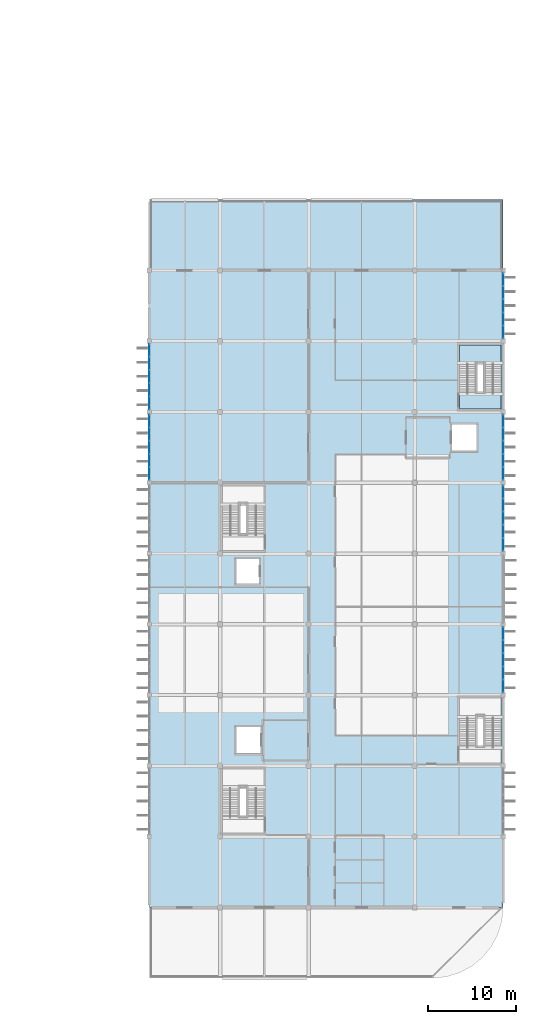
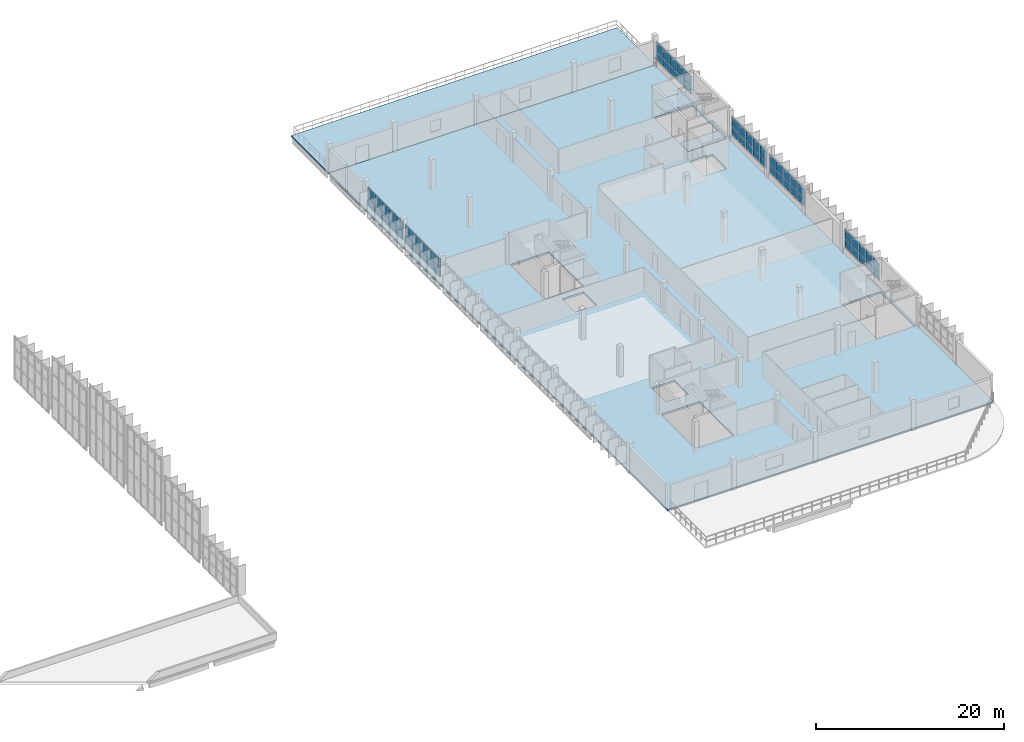
# One storey, part 24 of 38: 60 plates, 4 slabs, 7 elements without a shape of their own.
"""IFC4 building model written with IfcOpenShell, lengths in metres."""

from ifc_helpers import new_model, si_unit, direction, frame, origin, origin_2d, place, context, subcontext, project, spatial, polyline, rectangle, outline, extrude, material, layer, layer_set, type_object, element, aggregate, save


model = new_model("IFC4")

# Units and contexts
model_context = context("Model", 3, precision=1e-05, world=origin(), true_north=direction((0.0, 1.0)))
body_context = subcontext(model_context, "Body", "Model", "MODEL_VIEW")
ifc_project = project(units=[si_unit("LENGTHUNIT", "METRE"), si_unit("AREAUNIT", "SQUARE_METRE"), si_unit("VOLUMEUNIT", "CUBIC_METRE"), si_unit("PLANEANGLEUNIT", "RADIAN"), si_unit("MASSUNIT", "GRAM", prefix="KILO")], contexts=[model_context])

# Site, building, storey
site_placement = place(None, origin())
site = spatial("IfcSite", under=ifc_project, at=site_placement, CompositionType="ELEMENT")
building_placement = place(site_placement, origin())
building = spatial("IfcBuilding", under=site, at=building_placement, Name="Drelvana Railside Aquatics Centre", CompositionType="ELEMENT")
storey_placement = place(building_placement, frame((0.0, 0.0, 14.39990234375)))
storey = spatial("IfcBuildingStorey", under=building, at=storey_placement, Name="L03", CompositionType="ELEMENT", Elevation=14.39990234375)

# Curtain wall, plates
ifc_material_1 = material(Name="Bronze-anodised aluminium curtain wall", Category="aluminium")
ifc_layer_1 = layer(ifc_material_1, 0.175048828125, Name="Bronze-anodised aluminium curtain wall")
ifc_layer_set_1 = layer_set([ifc_layer_1], Name="Bronze-anodised aluminium curtain wall")
curtain_wall_type = type_object("IfcCurtainWallType", Name="CW-Z6-WING", PredefinedType="NOTDEFINED", material=ifc_layer_set_1)
curtain_wall_1_placement = place(storey_placement, origin())
curtain_wall_1 = element("IfcCurtainWall", 1, at=curtain_wall_1_placement, inside=storey, type_object=curtain_wall_type, Name="Curtain wall CW-06-158", PredefinedType="NOTDEFINED")
ifc_material_2 = material(Name="Double-glazed low-e solar-control glass", Category="glass")
ifc_layer_2 = layer(ifc_material_2, 0.02392578125, Name="Double-glazed low-e solar-control glass")
ifc_layer_set_2 = layer_set([ifc_layer_2], Name="Double-glazed low-e solar-control glass")
plate_type = type_object("IfcPlateType", Name="CW-Z6-WING-PAN", PredefinedType="CURTAIN_PANEL", material=ifc_layer_set_2)
plate_1_placement = place(storey_placement, frame((144.0, 65.031494140625, 0.84912109375), z_axis=(0.0, 0.0, 1.0), x_axis=(0.0, 1.0, 0.0)))
plate_1 = element("IfcPlate", 2, at=plate_1_placement, type_object=plate_type, Name="CW-06 panel 1.1", PredefinedType="CURTAIN_PANEL", context=body_context, shape_type="SweptSolid", body=[
    extrude(rectangle(XDim=1.40478515625, YDim=0.02392578125, at=origin_2d()), origin(), (0.0, 0.0, 1.0), 1.02490234375),
])
plate_2_placement = place(storey_placement, frame((144.0, 65.031494140625, 1.924072265625), z_axis=(0.0, 0.0, 1.0), x_axis=(0.0, 1.0, 0.0)))
plate_2 = element("IfcPlate", 3, at=plate_2_placement, type_object=plate_type, Name="CW-06 panel 1.2", PredefinedType="CURTAIN_PANEL", context=body_context, shape_type="SweptSolid", body=[
    extrude(rectangle(XDim=1.40478515625, YDim=0.02392578125, at=origin_2d()), origin(), (0.0, 0.0, 1.0), 1.27099609375),
])
plate_3_placement = place(storey_placement, frame((144.0, 66.507568359375, 0.84912109375), z_axis=(0.0, 0.0, 1.0), x_axis=(0.0, 1.0, 0.0)))
plate_3 = element("IfcPlate", 4, at=plate_3_placement, type_object=plate_type, Name="CW-06 panel 2.1", PredefinedType="CURTAIN_PANEL", context=body_context, shape_type="SweptSolid", body=[
    extrude(rectangle(XDim=1.4375, YDim=0.02392578125, at=origin_2d()), origin(), (0.0, 0.0, 1.0), 1.02490234375),
])
plate_4_placement = place(storey_placement, frame((144.0, 66.507568359375, 1.924072265625), z_axis=(0.0, 0.0, 1.0), x_axis=(0.0, 1.0, 0.0)))
plate_4 = element("IfcPlate", 5, at=plate_4_placement, type_object=plate_type, Name="CW-06 panel 2.2", PredefinedType="CURTAIN_PANEL", context=body_context, shape_type="SweptSolid", body=[
    extrude(rectangle(XDim=1.4375, YDim=0.02392578125, at=origin_2d()), origin(), (0.0, 0.0, 1.0), 1.27099609375),
])
plate_5_placement = place(storey_placement, frame((144.0, 68.0, 0.84912109375), z_axis=(0.0, 0.0, 1.0), x_axis=(0.0, 1.0, 0.0)))
plate_5 = element("IfcPlate", 6, at=plate_5_placement, type_object=plate_type, Name="CW-06 panel 3.1", PredefinedType="CURTAIN_PANEL", context=body_context, shape_type="SweptSolid", body=[
    extrude(rectangle(XDim=1.4375, YDim=0.02392578125, at=origin_2d()), origin(), (0.0, 0.0, 1.0), 1.02490234375),
])
plate_6_placement = place(storey_placement, frame((144.0, 68.0, 1.924072265625), z_axis=(0.0, 0.0, 1.0), x_axis=(0.0, 1.0, 0.0)))
plate_6 = element("IfcPlate", 7, at=plate_6_placement, type_object=plate_type, Name="CW-06 panel 3.2", PredefinedType="CURTAIN_PANEL", context=body_context, shape_type="SweptSolid", body=[
    extrude(rectangle(XDim=1.4375, YDim=0.02392578125, at=origin_2d()), origin(), (0.0, 0.0, 1.0), 1.27099609375),
])
plate_7_placement = place(storey_placement, frame((144.0, 69.492431640625, 0.84912109375), z_axis=(0.0, 0.0, 1.0), x_axis=(0.0, 1.0, 0.0)))
plate_7 = element("IfcPlate", 8, at=plate_7_placement, type_object=plate_type, Name="CW-06 panel 4.1", PredefinedType="CURTAIN_PANEL", context=body_context, shape_type="SweptSolid", body=[
    extrude(rectangle(XDim=1.4375, YDim=0.02392578125, at=origin_2d()), origin(), (0.0, 0.0, 1.0), 1.02490234375),
])
plate_8_placement = place(storey_placement, frame((144.0, 69.492431640625, 1.924072265625), z_axis=(0.0, 0.0, 1.0), x_axis=(0.0, 1.0, 0.0)))
plate_8 = element("IfcPlate", 9, at=plate_8_placement, type_object=plate_type, Name="CW-06 panel 4.2", PredefinedType="CURTAIN_PANEL", context=body_context, shape_type="SweptSolid", body=[
    extrude(rectangle(XDim=1.4375, YDim=0.02392578125, at=origin_2d()), origin(), (0.0, 0.0, 1.0), 1.27099609375),
])
plate_9_placement = place(storey_placement, frame((144.0, 70.968505859375, 0.84912109375), z_axis=(0.0, 0.0, 1.0), x_axis=(0.0, 1.0, 0.0)))
plate_9 = element("IfcPlate", 10, at=plate_9_placement, type_object=plate_type, Name="CW-06 panel 5.1", PredefinedType="CURTAIN_PANEL", context=body_context, shape_type="SweptSolid", body=[
    extrude(rectangle(XDim=1.40478515625, YDim=0.02392578125, at=origin_2d()), origin(), (0.0, 0.0, 1.0), 1.02490234375),
])
plate_10_placement = place(storey_placement, frame((144.0, 70.968505859375, 1.924072265625), z_axis=(0.0, 0.0, 1.0), x_axis=(0.0, 1.0, 0.0)))
plate_10 = element("IfcPlate", 11, at=plate_10_placement, type_object=plate_type, Name="CW-06 panel 5.2", PredefinedType="CURTAIN_PANEL", context=body_context, shape_type="SweptSolid", body=[
    extrude(rectangle(XDim=1.40478515625, YDim=0.02392578125, at=origin_2d()), origin(), (0.0, 0.0, 1.0), 1.27099609375),
])
aggregate(curtain_wall_1, [plate_1, plate_2, plate_3, plate_4, plate_5, plate_6, plate_7, plate_8, plate_9, plate_10])

curtain_wall_2_placement = place(storey_placement, origin())
curtain_wall_2 = element("IfcCurtainWall", 12, at=curtain_wall_2_placement, inside=storey, type_object=curtain_wall_type, Name="Curtain wall CW-06-162", PredefinedType="NOTDEFINED")
plate_11_placement = place(storey_placement, frame((144.0, 73.031494140625, 0.84912109375), z_axis=(0.0, 0.0, 1.0), x_axis=(0.0, 1.0, 0.0)))
plate_11 = element("IfcPlate", 13, at=plate_11_placement, type_object=plate_type, Name="CW-06 panel 1.1", PredefinedType="CURTAIN_PANEL", context=body_context, shape_type="SweptSolid", body=[
    extrude(rectangle(XDim=1.40478515625, YDim=0.02392578125, at=origin_2d()), origin(), (0.0, 0.0, 1.0), 1.02490234375),
])
plate_12_placement = place(storey_placement, frame((144.0, 73.031494140625, 1.924072265625), z_axis=(0.0, 0.0, 1.0), x_axis=(0.0, 1.0, 0.0)))
plate_12 = element("IfcPlate", 14, at=plate_12_placement, type_object=plate_type, Name="CW-06 panel 1.2", PredefinedType="CURTAIN_PANEL", context=body_context, shape_type="SweptSolid", body=[
    extrude(rectangle(XDim=1.40478515625, YDim=0.02392578125, at=origin_2d()), origin(), (0.0, 0.0, 1.0), 1.27099609375),
])
plate_13_placement = place(storey_placement, frame((144.0, 74.507568359375, 0.84912109375), z_axis=(0.0, 0.0, 1.0), x_axis=(0.0, 1.0, 0.0)))
plate_13 = element("IfcPlate", 15, at=plate_13_placement, type_object=plate_type, Name="CW-06 panel 2.1", PredefinedType="CURTAIN_PANEL", context=body_context, shape_type="SweptSolid", body=[
    extrude(rectangle(XDim=1.4375, YDim=0.02392578125, at=origin_2d()), origin(), (0.0, 0.0, 1.0), 1.02490234375),
])
plate_14_placement = place(storey_placement, frame((144.0, 74.507568359375, 1.924072265625), z_axis=(0.0, 0.0, 1.0), x_axis=(0.0, 1.0, 0.0)))
plate_14 = element("IfcPlate", 16, at=plate_14_placement, type_object=plate_type, Name="CW-06 panel 2.2", PredefinedType="CURTAIN_PANEL", context=body_context, shape_type="SweptSolid", body=[
    extrude(rectangle(XDim=1.4375, YDim=0.02392578125, at=origin_2d()), origin(), (0.0, 0.0, 1.0), 1.27099609375),
])
plate_15_placement = place(storey_placement, frame((144.0, 76.0, 0.84912109375), z_axis=(0.0, 0.0, 1.0), x_axis=(0.0, 1.0, 0.0)))
plate_15 = element("IfcPlate", 17, at=plate_15_placement, type_object=plate_type, Name="CW-06 panel 3.1", PredefinedType="CURTAIN_PANEL", context=body_context, shape_type="SweptSolid", body=[
    extrude(rectangle(XDim=1.4375, YDim=0.02392578125, at=origin_2d()), origin(), (0.0, 0.0, 1.0), 1.02490234375),
])
plate_16_placement = place(storey_placement, frame((144.0, 76.0, 1.924072265625), z_axis=(0.0, 0.0, 1.0), x_axis=(0.0, 1.0, 0.0)))
plate_16 = element("IfcPlate", 18, at=plate_16_placement, type_object=plate_type, Name="CW-06 panel 3.2", PredefinedType="CURTAIN_PANEL", context=body_context, shape_type="SweptSolid", body=[
    extrude(rectangle(XDim=1.4375, YDim=0.02392578125, at=origin_2d()), origin(), (0.0, 0.0, 1.0), 1.27099609375),
])
plate_17_placement = place(storey_placement, frame((144.0, 77.492431640625, 0.84912109375), z_axis=(0.0, 0.0, 1.0), x_axis=(0.0, 1.0, 0.0)))
plate_17 = element("IfcPlate", 19, at=plate_17_placement, type_object=plate_type, Name="CW-06 panel 4.1", PredefinedType="CURTAIN_PANEL", context=body_context, shape_type="SweptSolid", body=[
    extrude(rectangle(XDim=1.4375, YDim=0.02392578125, at=origin_2d()), origin(), (0.0, 0.0, 1.0), 1.02490234375),
])
plate_18_placement = place(storey_placement, frame((144.0, 77.492431640625, 1.924072265625), z_axis=(0.0, 0.0, 1.0), x_axis=(0.0, 1.0, 0.0)))
plate_18 = element("IfcPlate", 20, at=plate_18_placement, type_object=plate_type, Name="CW-06 panel 4.2", PredefinedType="CURTAIN_PANEL", context=body_context, shape_type="SweptSolid", body=[
    extrude(rectangle(XDim=1.4375, YDim=0.02392578125, at=origin_2d()), origin(), (0.0, 0.0, 1.0), 1.27099609375),
])
plate_19_placement = place(storey_placement, frame((144.0, 78.968505859375, 0.84912109375), z_axis=(0.0, 0.0, 1.0), x_axis=(0.0, 1.0, 0.0)))
plate_19 = element("IfcPlate", 21, at=plate_19_placement, type_object=plate_type, Name="CW-06 panel 5.1", PredefinedType="CURTAIN_PANEL", context=body_context, shape_type="SweptSolid", body=[
    extrude(rectangle(XDim=1.40478515625, YDim=0.02392578125, at=origin_2d()), origin(), (0.0, 0.0, 1.0), 1.02490234375),
])
plate_20_placement = place(storey_placement, frame((144.0, 78.968505859375, 1.924072265625), z_axis=(0.0, 0.0, 1.0), x_axis=(0.0, 1.0, 0.0)))
plate_20 = element("IfcPlate", 22, at=plate_20_placement, type_object=plate_type, Name="CW-06 panel 5.2", PredefinedType="CURTAIN_PANEL", context=body_context, shape_type="SweptSolid", body=[
    extrude(rectangle(XDim=1.40478515625, YDim=0.02392578125, at=origin_2d()), origin(), (0.0, 0.0, 1.0), 1.27099609375),
])
aggregate(curtain_wall_2, [plate_11, plate_12, plate_13, plate_14, plate_15, plate_16, plate_17, plate_18, plate_19, plate_20])

curtain_wall_3_placement = place(storey_placement, origin())
curtain_wall_3 = element("IfcCurtainWall", 23, at=curtain_wall_3_placement, inside=storey, type_object=curtain_wall_type, Name="Curtain wall CW-06-173", PredefinedType="NOTDEFINED")
plate_21_placement = place(storey_placement, frame((184.0, 41.031494140625, 0.84912109375), z_axis=(0.0, 0.0, 1.0), x_axis=(0.0, 1.0, 0.0)))
plate_21 = element("IfcPlate", 24, at=plate_21_placement, type_object=plate_type, Name="CW-06 panel 1.1", PredefinedType="CURTAIN_PANEL", context=body_context, shape_type="SweptSolid", body=[
    extrude(rectangle(XDim=1.40478515625, YDim=0.02392578125, at=origin_2d()), origin(), (0.0, 0.0, 1.0), 1.02490234375),
])
plate_22_placement = place(storey_placement, frame((184.0, 41.031494140625, 1.924072265625), z_axis=(0.0, 0.0, 1.0), x_axis=(0.0, 1.0, 0.0)))
plate_22 = element("IfcPlate", 25, at=plate_22_placement, type_object=plate_type, Name="CW-06 panel 1.2", PredefinedType="CURTAIN_PANEL", context=body_context, shape_type="SweptSolid", body=[
    extrude(rectangle(XDim=1.40478515625, YDim=0.02392578125, at=origin_2d()), origin(), (0.0, 0.0, 1.0), 1.27099609375),
])
plate_23_placement = place(storey_placement, frame((184.0, 42.507568359375, 0.84912109375), z_axis=(0.0, 0.0, 1.0), x_axis=(0.0, 1.0, 0.0)))
plate_23 = element("IfcPlate", 26, at=plate_23_placement, type_object=plate_type, Name="CW-06 panel 2.1", PredefinedType="CURTAIN_PANEL", context=body_context, shape_type="SweptSolid", body=[
    extrude(rectangle(XDim=1.4375, YDim=0.02392578125, at=origin_2d()), origin(), (0.0, 0.0, 1.0), 1.02490234375),
])
plate_24_placement = place(storey_placement, frame((184.0, 42.507568359375, 1.924072265625), z_axis=(0.0, 0.0, 1.0), x_axis=(0.0, 1.0, 0.0)))
plate_24 = element("IfcPlate", 27, at=plate_24_placement, type_object=plate_type, Name="CW-06 panel 2.2", PredefinedType="CURTAIN_PANEL", context=body_context, shape_type="SweptSolid", body=[
    extrude(rectangle(XDim=1.4375, YDim=0.02392578125, at=origin_2d()), origin(), (0.0, 0.0, 1.0), 1.27099609375),
])
plate_25_placement = place(storey_placement, frame((184.0, 44.0, 0.84912109375), z_axis=(0.0, 0.0, 1.0), x_axis=(0.0, 1.0, 0.0)))
plate_25 = element("IfcPlate", 28, at=plate_25_placement, type_object=plate_type, Name="CW-06 panel 3.1", PredefinedType="CURTAIN_PANEL", context=body_context, shape_type="SweptSolid", body=[
    extrude(rectangle(XDim=1.4375, YDim=0.02392578125, at=origin_2d()), origin(), (0.0, 0.0, 1.0), 1.02490234375),
])
plate_26_placement = place(storey_placement, frame((184.0, 44.0, 1.924072265625), z_axis=(0.0, 0.0, 1.0), x_axis=(0.0, 1.0, 0.0)))
plate_26 = element("IfcPlate", 29, at=plate_26_placement, type_object=plate_type, Name="CW-06 panel 3.2", PredefinedType="CURTAIN_PANEL", context=body_context, shape_type="SweptSolid", body=[
    extrude(rectangle(XDim=1.4375, YDim=0.02392578125, at=origin_2d()), origin(), (0.0, 0.0, 1.0), 1.27099609375),
])
plate_27_placement = place(storey_placement, frame((184.0, 45.492431640625, 0.84912109375), z_axis=(0.0, 0.0, 1.0), x_axis=(0.0, 1.0, 0.0)))
plate_27 = element("IfcPlate", 30, at=plate_27_placement, type_object=plate_type, Name="CW-06 panel 4.1", PredefinedType="CURTAIN_PANEL", context=body_context, shape_type="SweptSolid", body=[
    extrude(rectangle(XDim=1.4375, YDim=0.02392578125, at=origin_2d()), origin(), (0.0, 0.0, 1.0), 1.02490234375),
])
plate_28_placement = place(storey_placement, frame((184.0, 45.492431640625, 1.924072265625), z_axis=(0.0, 0.0, 1.0), x_axis=(0.0, 1.0, 0.0)))
plate_28 = element("IfcPlate", 31, at=plate_28_placement, type_object=plate_type, Name="CW-06 panel 4.2", PredefinedType="CURTAIN_PANEL", context=body_context, shape_type="SweptSolid", body=[
    extrude(rectangle(XDim=1.4375, YDim=0.02392578125, at=origin_2d()), origin(), (0.0, 0.0, 1.0), 1.27099609375),
])
plate_29_placement = place(storey_placement, frame((184.0, 46.968505859375, 0.84912109375), z_axis=(0.0, 0.0, 1.0), x_axis=(0.0, 1.0, 0.0)))
plate_29 = element("IfcPlate", 32, at=plate_29_placement, type_object=plate_type, Name="CW-06 panel 5.1", PredefinedType="CURTAIN_PANEL", context=body_context, shape_type="SweptSolid", body=[
    extrude(rectangle(XDim=1.40478515625, YDim=0.02392578125, at=origin_2d()), origin(), (0.0, 0.0, 1.0), 1.02490234375),
])
plate_30_placement = place(storey_placement, frame((184.0, 46.968505859375, 1.924072265625), z_axis=(0.0, 0.0, 1.0), x_axis=(0.0, 1.0, 0.0)))
plate_30 = element("IfcPlate", 33, at=plate_30_placement, type_object=plate_type, Name="CW-06 panel 5.2", PredefinedType="CURTAIN_PANEL", context=body_context, shape_type="SweptSolid", body=[
    extrude(rectangle(XDim=1.40478515625, YDim=0.02392578125, at=origin_2d()), origin(), (0.0, 0.0, 1.0), 1.27099609375),
])
aggregate(curtain_wall_3, [plate_21, plate_22, plate_23, plate_24, plate_25, plate_26, plate_27, plate_28, plate_29, plate_30])

curtain_wall_4_placement = place(storey_placement, origin())
curtain_wall_4 = element("IfcCurtainWall", 34, at=curtain_wall_4_placement, inside=storey, type_object=curtain_wall_type, Name="Curtain wall CW-06-178", PredefinedType="NOTDEFINED")
plate_31_placement = place(storey_placement, frame((184.0, 57.031494140625, 0.84912109375), z_axis=(0.0, 0.0, 1.0), x_axis=(0.0, 1.0, 0.0)))
plate_31 = element("IfcPlate", 35, at=plate_31_placement, type_object=plate_type, Name="CW-06 panel 1.1", PredefinedType="CURTAIN_PANEL", context=body_context, shape_type="SweptSolid", body=[
    extrude(rectangle(XDim=1.40478515625, YDim=0.02392578125, at=origin_2d()), origin(), (0.0, 0.0, 1.0), 1.02490234375),
])
plate_32_placement = place(storey_placement, frame((184.0, 57.031494140625, 1.924072265625), z_axis=(0.0, 0.0, 1.0), x_axis=(0.0, 1.0, 0.0)))
plate_32 = element("IfcPlate", 36, at=plate_32_placement, type_object=plate_type, Name="CW-06 panel 1.2", PredefinedType="CURTAIN_PANEL", context=body_context, shape_type="SweptSolid", body=[
    extrude(rectangle(XDim=1.40478515625, YDim=0.02392578125, at=origin_2d()), origin(), (0.0, 0.0, 1.0), 1.27099609375),
])
plate_33_placement = place(storey_placement, frame((184.0, 58.507568359375, 0.84912109375), z_axis=(0.0, 0.0, 1.0), x_axis=(0.0, 1.0, 0.0)))
plate_33 = element("IfcPlate", 37, at=plate_33_placement, type_object=plate_type, Name="CW-06 panel 2.1", PredefinedType="CURTAIN_PANEL", context=body_context, shape_type="SweptSolid", body=[
    extrude(rectangle(XDim=1.4375, YDim=0.02392578125, at=origin_2d()), origin(), (0.0, 0.0, 1.0), 1.02490234375),
])
plate_34_placement = place(storey_placement, frame((184.0, 58.507568359375, 1.924072265625), z_axis=(0.0, 0.0, 1.0), x_axis=(0.0, 1.0, 0.0)))
plate_34 = element("IfcPlate", 38, at=plate_34_placement, type_object=plate_type, Name="CW-06 panel 2.2", PredefinedType="CURTAIN_PANEL", context=body_context, shape_type="SweptSolid", body=[
    extrude(rectangle(XDim=1.4375, YDim=0.02392578125, at=origin_2d()), origin(), (0.0, 0.0, 1.0), 1.27099609375),
])
plate_35_placement = place(storey_placement, frame((184.0, 60.0, 0.84912109375), z_axis=(0.0, 0.0, 1.0), x_axis=(0.0, 1.0, 0.0)))
plate_35 = element("IfcPlate", 39, at=plate_35_placement, type_object=plate_type, Name="CW-06 panel 3.1", PredefinedType="CURTAIN_PANEL", context=body_context, shape_type="SweptSolid", body=[
    extrude(rectangle(XDim=1.4375, YDim=0.02392578125, at=origin_2d()), origin(), (0.0, 0.0, 1.0), 1.02490234375),
])
plate_36_placement = place(storey_placement, frame((184.0, 60.0, 1.924072265625), z_axis=(0.0, 0.0, 1.0), x_axis=(0.0, 1.0, 0.0)))
plate_36 = element("IfcPlate", 40, at=plate_36_placement, type_object=plate_type, Name="CW-06 panel 3.2", PredefinedType="CURTAIN_PANEL", context=body_context, shape_type="SweptSolid", body=[
    extrude(rectangle(XDim=1.4375, YDim=0.02392578125, at=origin_2d()), origin(), (0.0, 0.0, 1.0), 1.27099609375),
])
plate_37_placement = place(storey_placement, frame((184.0, 61.492431640625, 0.84912109375), z_axis=(0.0, 0.0, 1.0), x_axis=(0.0, 1.0, 0.0)))
plate_37 = element("IfcPlate", 41, at=plate_37_placement, type_object=plate_type, Name="CW-06 panel 4.1", PredefinedType="CURTAIN_PANEL", context=body_context, shape_type="SweptSolid", body=[
    extrude(rectangle(XDim=1.4375, YDim=0.02392578125, at=origin_2d()), origin(), (0.0, 0.0, 1.0), 1.02490234375),
])
plate_38_placement = place(storey_placement, frame((184.0, 61.492431640625, 1.924072265625), z_axis=(0.0, 0.0, 1.0), x_axis=(0.0, 1.0, 0.0)))
plate_38 = element("IfcPlate", 42, at=plate_38_placement, type_object=plate_type, Name="CW-06 panel 4.2", PredefinedType="CURTAIN_PANEL", context=body_context, shape_type="SweptSolid", body=[
    extrude(rectangle(XDim=1.4375, YDim=0.02392578125, at=origin_2d()), origin(), (0.0, 0.0, 1.0), 1.27099609375),
])
plate_39_placement = place(storey_placement, frame((184.0, 62.968505859375, 0.84912109375), z_axis=(0.0, 0.0, 1.0), x_axis=(0.0, 1.0, 0.0)))
plate_39 = element("IfcPlate", 43, at=plate_39_placement, type_object=plate_type, Name="CW-06 panel 5.1", PredefinedType="CURTAIN_PANEL", context=body_context, shape_type="SweptSolid", body=[
    extrude(rectangle(XDim=1.40478515625, YDim=0.02392578125, at=origin_2d()), origin(), (0.0, 0.0, 1.0), 1.02490234375),
])
plate_40_placement = place(storey_placement, frame((184.0, 62.968505859375, 1.924072265625), z_axis=(0.0, 0.0, 1.0), x_axis=(0.0, 1.0, 0.0)))
plate_40 = element("IfcPlate", 44, at=plate_40_placement, type_object=plate_type, Name="CW-06 panel 5.2", PredefinedType="CURTAIN_PANEL", context=body_context, shape_type="SweptSolid", body=[
    extrude(rectangle(XDim=1.40478515625, YDim=0.02392578125, at=origin_2d()), origin(), (0.0, 0.0, 1.0), 1.27099609375),
])
aggregate(curtain_wall_4, [plate_31, plate_32, plate_33, plate_34, plate_35, plate_36, plate_37, plate_38, plate_39, plate_40])

curtain_wall_5_placement = place(storey_placement, origin())
curtain_wall_5 = element("IfcCurtainWall", 45, at=curtain_wall_5_placement, inside=storey, type_object=curtain_wall_type, Name="Curtain wall CW-06-182", PredefinedType="NOTDEFINED")
plate_41_placement = place(storey_placement, frame((184.0, 65.031494140625, 0.84912109375), z_axis=(0.0, 0.0, 1.0), x_axis=(0.0, 1.0, 0.0)))
plate_41 = element("IfcPlate", 46, at=plate_41_placement, type_object=plate_type, Name="CW-06 panel 1.1", PredefinedType="CURTAIN_PANEL", context=body_context, shape_type="SweptSolid", body=[
    extrude(rectangle(XDim=1.40478515625, YDim=0.02392578125, at=origin_2d()), origin(), (0.0, 0.0, 1.0), 1.02490234375),
])
plate_42_placement = place(storey_placement, frame((184.0, 65.031494140625, 1.924072265625), z_axis=(0.0, 0.0, 1.0), x_axis=(0.0, 1.0, 0.0)))
plate_42 = element("IfcPlate", 47, at=plate_42_placement, type_object=plate_type, Name="CW-06 panel 1.2", PredefinedType="CURTAIN_PANEL", context=body_context, shape_type="SweptSolid", body=[
    extrude(rectangle(XDim=1.40478515625, YDim=0.02392578125, at=origin_2d()), origin(), (0.0, 0.0, 1.0), 1.27099609375),
])
plate_43_placement = place(storey_placement, frame((184.0, 66.507568359375, 0.84912109375), z_axis=(0.0, 0.0, 1.0), x_axis=(0.0, 1.0, 0.0)))
plate_43 = element("IfcPlate", 48, at=plate_43_placement, type_object=plate_type, Name="CW-06 panel 2.1", PredefinedType="CURTAIN_PANEL", context=body_context, shape_type="SweptSolid", body=[
    extrude(rectangle(XDim=1.4375, YDim=0.02392578125, at=origin_2d()), origin(), (0.0, 0.0, 1.0), 1.02490234375),
])
plate_44_placement = place(storey_placement, frame((184.0, 66.507568359375, 1.924072265625), z_axis=(0.0, 0.0, 1.0), x_axis=(0.0, 1.0, 0.0)))
plate_44 = element("IfcPlate", 49, at=plate_44_placement, type_object=plate_type, Name="CW-06 panel 2.2", PredefinedType="CURTAIN_PANEL", context=body_context, shape_type="SweptSolid", body=[
    extrude(rectangle(XDim=1.4375, YDim=0.02392578125, at=origin_2d()), origin(), (0.0, 0.0, 1.0), 1.27099609375),
])
plate_45_placement = place(storey_placement, frame((184.0, 68.0, 0.84912109375), z_axis=(0.0, 0.0, 1.0), x_axis=(0.0, 1.0, 0.0)))
plate_45 = element("IfcPlate", 50, at=plate_45_placement, type_object=plate_type, Name="CW-06 panel 3.1", PredefinedType="CURTAIN_PANEL", context=body_context, shape_type="SweptSolid", body=[
    extrude(rectangle(XDim=1.4375, YDim=0.02392578125, at=origin_2d()), origin(), (0.0, 0.0, 1.0), 1.02490234375),
])
plate_46_placement = place(storey_placement, frame((184.0, 68.0, 1.924072265625), z_axis=(0.0, 0.0, 1.0), x_axis=(0.0, 1.0, 0.0)))
plate_46 = element("IfcPlate", 51, at=plate_46_placement, type_object=plate_type, Name="CW-06 panel 3.2", PredefinedType="CURTAIN_PANEL", context=body_context, shape_type="SweptSolid", body=[
    extrude(rectangle(XDim=1.4375, YDim=0.02392578125, at=origin_2d()), origin(), (0.0, 0.0, 1.0), 1.27099609375),
])
plate_47_placement = place(storey_placement, frame((184.0, 69.492431640625, 0.84912109375), z_axis=(0.0, 0.0, 1.0), x_axis=(0.0, 1.0, 0.0)))
plate_47 = element("IfcPlate", 52, at=plate_47_placement, type_object=plate_type, Name="CW-06 panel 4.1", PredefinedType="CURTAIN_PANEL", context=body_context, shape_type="SweptSolid", body=[
    extrude(rectangle(XDim=1.4375, YDim=0.02392578125, at=origin_2d()), origin(), (0.0, 0.0, 1.0), 1.02490234375),
])
plate_48_placement = place(storey_placement, frame((184.0, 69.492431640625, 1.924072265625), z_axis=(0.0, 0.0, 1.0), x_axis=(0.0, 1.0, 0.0)))
plate_48 = element("IfcPlate", 53, at=plate_48_placement, type_object=plate_type, Name="CW-06 panel 4.2", PredefinedType="CURTAIN_PANEL", context=body_context, shape_type="SweptSolid", body=[
    extrude(rectangle(XDim=1.4375, YDim=0.02392578125, at=origin_2d()), origin(), (0.0, 0.0, 1.0), 1.27099609375),
])
plate_49_placement = place(storey_placement, frame((184.0, 70.968505859375, 0.84912109375), z_axis=(0.0, 0.0, 1.0), x_axis=(0.0, 1.0, 0.0)))
plate_49 = element("IfcPlate", 54, at=plate_49_placement, type_object=plate_type, Name="CW-06 panel 5.1", PredefinedType="CURTAIN_PANEL", context=body_context, shape_type="SweptSolid", body=[
    extrude(rectangle(XDim=1.40478515625, YDim=0.02392578125, at=origin_2d()), origin(), (0.0, 0.0, 1.0), 1.02490234375),
])
plate_50_placement = place(storey_placement, frame((184.0, 70.968505859375, 1.924072265625), z_axis=(0.0, 0.0, 1.0), x_axis=(0.0, 1.0, 0.0)))
plate_50 = element("IfcPlate", 55, at=plate_50_placement, type_object=plate_type, Name="CW-06 panel 5.2", PredefinedType="CURTAIN_PANEL", context=body_context, shape_type="SweptSolid", body=[
    extrude(rectangle(XDim=1.40478515625, YDim=0.02392578125, at=origin_2d()), origin(), (0.0, 0.0, 1.0), 1.27099609375),
])
aggregate(curtain_wall_5, [plate_41, plate_42, plate_43, plate_44, plate_45, plate_46, plate_47, plate_48, plate_49, plate_50])

curtain_wall_6_placement = place(storey_placement, origin())
curtain_wall_6 = element("IfcCurtainWall", 56, at=curtain_wall_6_placement, inside=storey, type_object=curtain_wall_type, Name="Curtain wall CW-06-187", PredefinedType="NOTDEFINED")
plate_51_placement = place(storey_placement, frame((184.0, 81.031494140625, 0.84912109375), z_axis=(0.0, 0.0, 1.0), x_axis=(0.0, 1.0, 0.0)))
plate_51 = element("IfcPlate", 57, at=plate_51_placement, type_object=plate_type, Name="CW-06 panel 1.1", PredefinedType="CURTAIN_PANEL", context=body_context, shape_type="SweptSolid", body=[
    extrude(rectangle(XDim=1.40478515625, YDim=0.02392578125, at=origin_2d()), origin(), (0.0, 0.0, 1.0), 1.02490234375),
])
plate_52_placement = place(storey_placement, frame((184.0, 81.031494140625, 1.924072265625), z_axis=(0.0, 0.0, 1.0), x_axis=(0.0, 1.0, 0.0)))
plate_52 = element("IfcPlate", 58, at=plate_52_placement, type_object=plate_type, Name="CW-06 panel 1.2", PredefinedType="CURTAIN_PANEL", context=body_context, shape_type="SweptSolid", body=[
    extrude(rectangle(XDim=1.40478515625, YDim=0.02392578125, at=origin_2d()), origin(), (0.0, 0.0, 1.0), 1.27099609375),
])
plate_53_placement = place(storey_placement, frame((184.0, 82.507568359375, 0.84912109375), z_axis=(0.0, 0.0, 1.0), x_axis=(0.0, 1.0, 0.0)))
plate_53 = element("IfcPlate", 59, at=plate_53_placement, type_object=plate_type, Name="CW-06 panel 2.1", PredefinedType="CURTAIN_PANEL", context=body_context, shape_type="SweptSolid", body=[
    extrude(rectangle(XDim=1.4375, YDim=0.02392578125, at=origin_2d()), origin(), (0.0, 0.0, 1.0), 1.02490234375),
])
plate_54_placement = place(storey_placement, frame((184.0, 82.507568359375, 1.924072265625), z_axis=(0.0, 0.0, 1.0), x_axis=(0.0, 1.0, 0.0)))
plate_54 = element("IfcPlate", 60, at=plate_54_placement, type_object=plate_type, Name="CW-06 panel 2.2", PredefinedType="CURTAIN_PANEL", context=body_context, shape_type="SweptSolid", body=[
    extrude(rectangle(XDim=1.4375, YDim=0.02392578125, at=origin_2d()), origin(), (0.0, 0.0, 1.0), 1.27099609375),
])
plate_55_placement = place(storey_placement, frame((184.0, 84.0, 0.84912109375), z_axis=(0.0, 0.0, 1.0), x_axis=(0.0, 1.0, 0.0)))
plate_55 = element("IfcPlate", 61, at=plate_55_placement, type_object=plate_type, Name="CW-06 panel 3.1", PredefinedType="CURTAIN_PANEL", context=body_context, shape_type="SweptSolid", body=[
    extrude(rectangle(XDim=1.4375, YDim=0.02392578125, at=origin_2d()), origin(), (0.0, 0.0, 1.0), 1.02490234375),
])
plate_56_placement = place(storey_placement, frame((184.0, 84.0, 1.924072265625), z_axis=(0.0, 0.0, 1.0), x_axis=(0.0, 1.0, 0.0)))
plate_56 = element("IfcPlate", 62, at=plate_56_placement, type_object=plate_type, Name="CW-06 panel 3.2", PredefinedType="CURTAIN_PANEL", context=body_context, shape_type="SweptSolid", body=[
    extrude(rectangle(XDim=1.4375, YDim=0.02392578125, at=origin_2d()), origin(), (0.0, 0.0, 1.0), 1.27099609375),
])
plate_57_placement = place(storey_placement, frame((184.0, 85.492431640625, 0.84912109375), z_axis=(0.0, 0.0, 1.0), x_axis=(0.0, 1.0, 0.0)))
plate_57 = element("IfcPlate", 63, at=plate_57_placement, type_object=plate_type, Name="CW-06 panel 4.1", PredefinedType="CURTAIN_PANEL", context=body_context, shape_type="SweptSolid", body=[
    extrude(rectangle(XDim=1.4375, YDim=0.02392578125, at=origin_2d()), origin(), (0.0, 0.0, 1.0), 1.02490234375),
])
plate_58_placement = place(storey_placement, frame((184.0, 85.492431640625, 1.924072265625), z_axis=(0.0, 0.0, 1.0), x_axis=(0.0, 1.0, 0.0)))
plate_58 = element("IfcPlate", 64, at=plate_58_placement, type_object=plate_type, Name="CW-06 panel 4.2", PredefinedType="CURTAIN_PANEL", context=body_context, shape_type="SweptSolid", body=[
    extrude(rectangle(XDim=1.4375, YDim=0.02392578125, at=origin_2d()), origin(), (0.0, 0.0, 1.0), 1.27099609375),
])
plate_59_placement = place(storey_placement, frame((184.0, 86.968505859375, 0.84912109375), z_axis=(0.0, 0.0, 1.0), x_axis=(0.0, 1.0, 0.0)))
plate_59 = element("IfcPlate", 65, at=plate_59_placement, type_object=plate_type, Name="CW-06 panel 5.1", PredefinedType="CURTAIN_PANEL", context=body_context, shape_type="SweptSolid", body=[
    extrude(rectangle(XDim=1.40478515625, YDim=0.02392578125, at=origin_2d()), origin(), (0.0, 0.0, 1.0), 1.02490234375),
])
plate_60_placement = place(storey_placement, frame((184.0, 86.968505859375, 1.924072265625), z_axis=(0.0, 0.0, 1.0), x_axis=(0.0, 1.0, 0.0)))
plate_60 = element("IfcPlate", 66, at=plate_60_placement, type_object=plate_type, Name="CW-06 panel 5.2", PredefinedType="CURTAIN_PANEL", context=body_context, shape_type="SweptSolid", body=[
    extrude(rectangle(XDim=1.40478515625, YDim=0.02392578125, at=origin_2d()), origin(), (0.0, 0.0, 1.0), 1.27099609375),
])
aggregate(curtain_wall_6, [plate_51, plate_52, plate_53, plate_54, plate_55, plate_56, plate_57, plate_58, plate_59, plate_60])

# Slabs
ifc_material_3 = material(Name="Concrete C40/50", Category="concrete")
ifc_layer_3 = layer(ifc_material_3, 0.239990234375, Name="Concrete C40/50")
ifc_layer_set_3 = layer_set([ifc_layer_3], Name="Concrete C40/50")
slab_type_1 = type_object("IfcSlabType", Name="SL-L03-240", PredefinedType="FLOOR", material=ifc_layer_set_3)
slab_1_placement = place(storey_placement, frame((0.0, 0.0, -0.239990234375)))
element("IfcSlab", 67, at=slab_1_placement, inside=storey, type_object=slab_type_1, Name="Athlete Recovery Wing L03 floor slab", PredefinedType="FLOOR", context=body_context, shape_type="SweptSolid", body=[
    extrude(outline(polyline([(144.0, 16.0), (184.0, 16.0), (184.0, 88.0), (144.0, 88.0), (144.0, 16.0)]), holes=[polyline([(152.25, 24.409912109375), (156.949951171875, 24.409912109375), (156.949951171875, 31.64990234375), (152.25, 31.64990234375), (152.25, 24.409912109375)]), polyline([(153.800048828125, 33.39990234375), (156.60009765625, 33.39990234375), (156.60009765625, 36.39990234375), (153.800048828125, 36.39990234375), (153.800048828125, 33.39990234375)]), polyline([(179.050048828125, 72.35009765625), (183.75, 72.35009765625), (183.75, 79.590087890625), (179.050048828125, 79.590087890625), (179.050048828125, 72.35009765625)]), polyline([(178.199951171875, 67.60009765625), (181.0, 67.60009765625), (181.0, 70.60009765625), (178.199951171875, 70.60009765625), (178.199951171875, 67.60009765625)]), polyline([(152.25, 56.35009765625), (156.949951171875, 56.35009765625), (156.949951171875, 63.64990234375), (152.25, 63.64990234375), (152.25, 56.35009765625)]), polyline([(153.800048828125, 52.60009765625), (156.39990234375, 52.60009765625), (156.39990234375, 55.39990234375), (153.800048828125, 55.39990234375), (153.800048828125, 52.60009765625)]), polyline([(179.050048828125, 32.35009765625), (183.75, 32.35009765625), (183.75, 39.64990234375), (179.050048828125, 39.64990234375), (179.050048828125, 32.35009765625)])]), origin(), (0.0, 0.0, 1.0), 0.239990234375),
])
ifc_layer_4 = layer(ifc_material_3, 0.199951171875, Name="Concrete C40/50")
ifc_layer_set_4 = layer_set([ifc_layer_4], Name="Concrete C40/50")
slab_type_2 = type_object("IfcSlabType", Name="SL-LAND-200", PredefinedType="LANDING", material=ifc_layer_set_4)
slab_2_placement = place(storey_placement, frame((0.0, 0.0, -0.199951171875)))
element("IfcSlab", 68, at=slab_2_placement, inside=storey, type_object=slab_type_2, Name="Stair ST-07 L03 floor landing", PredefinedType="LANDING", context=body_context, shape_type="SweptSolid", body=[
    extrude(outline(polyline([(179.050048828125, 72.35009765625), (183.75, 72.35009765625), (183.75, 74.14990234375), (179.050048828125, 74.14990234375), (179.050048828125, 72.35009765625)])), origin(), (0.0, 0.0, 1.0), 0.199951171875),
])

# Stair, slab
stair_type = type_object("IfcStairType", Name="ST-CORE-W160", PredefinedType="HALF_TURN_STAIR", material=ifc_material_3)
stair_placement = place(storey_placement, origin())
stair = element("IfcStair", 69, at=stair_placement, inside=storey, type_object=stair_type, Name="Exit stair ST-07 (L03 to L04)", PredefinedType="HALF_TURN_STAIR")
slab_3_placement = place(storey_placement, frame((0.0, 0.0, 1.900146484375)))
slab_3 = element("IfcSlab", 70, at=slab_3_placement, type_object=slab_type_2, Name="ST-NR landing 1", PredefinedType="LANDING", context=body_context, shape_type="SweptSolid", body=[
    extrude(outline(polyline([(179.050048828125, 77.344970703125), (183.75, 77.344970703125), (183.75, 79.590087890625), (179.050048828125, 79.590087890625), (179.050048828125, 77.344970703125)])), origin(), (0.0, 0.0, 1.0), 0.199951171875),
])
aggregate(stair, [slab_3])

# Slab
ifc_material_4 = material(Name="Waterproof concrete C40/50", Category="concrete")
ifc_layer_5 = layer(ifc_material_4, 0.2099609375, Name="Waterproof concrete C40/50")
ifc_layer_set_5 = layer_set([ifc_layer_5], Name="Waterproof concrete C40/50")
slab_type_3 = type_object("IfcSlabType", Name="SL-TER-210", PredefinedType="FLOOR", material=ifc_layer_set_5)
slab_4_placement = place(storey_placement, frame((0.0, 0.0, -0.2099609375)))
element("IfcSlab", 71, at=slab_4_placement, inside=storey, type_object=slab_type_3, Name="L03 North Seminar Terrace slab", PredefinedType="FLOOR", context=body_context, shape_type="SweptSolid", body=[
    extrude(outline(polyline([(144.0, 88.0), (184.0, 88.0), (184.0, 96.0), (144.0, 96.0), (144.0, 88.0)])), origin(), (0.0, 0.0, 1.0), 0.2099609375),
])

save(model, "model.ifc")
